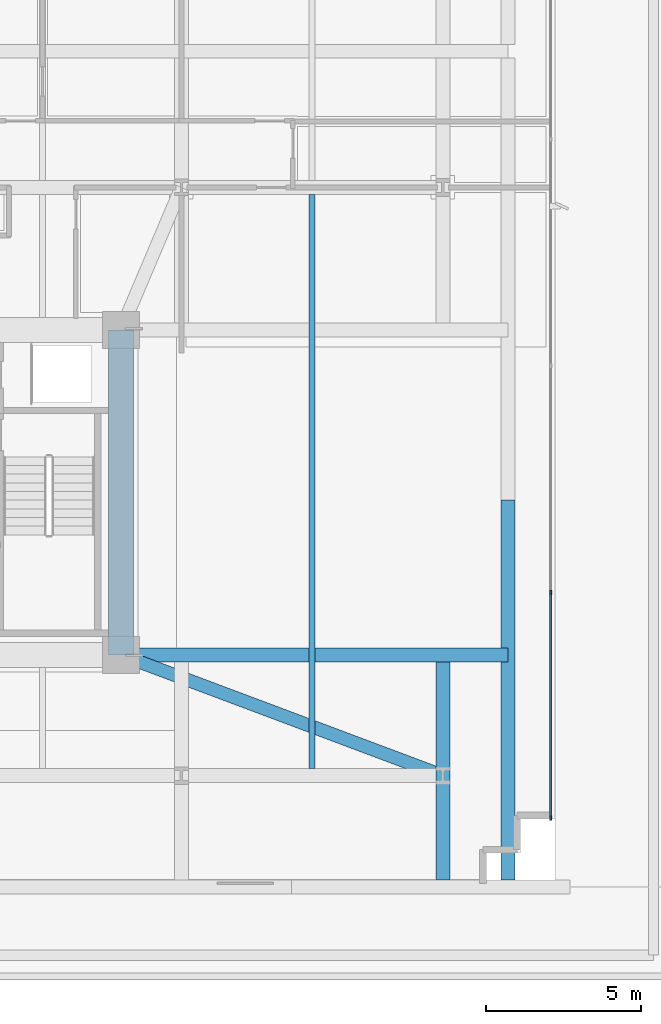
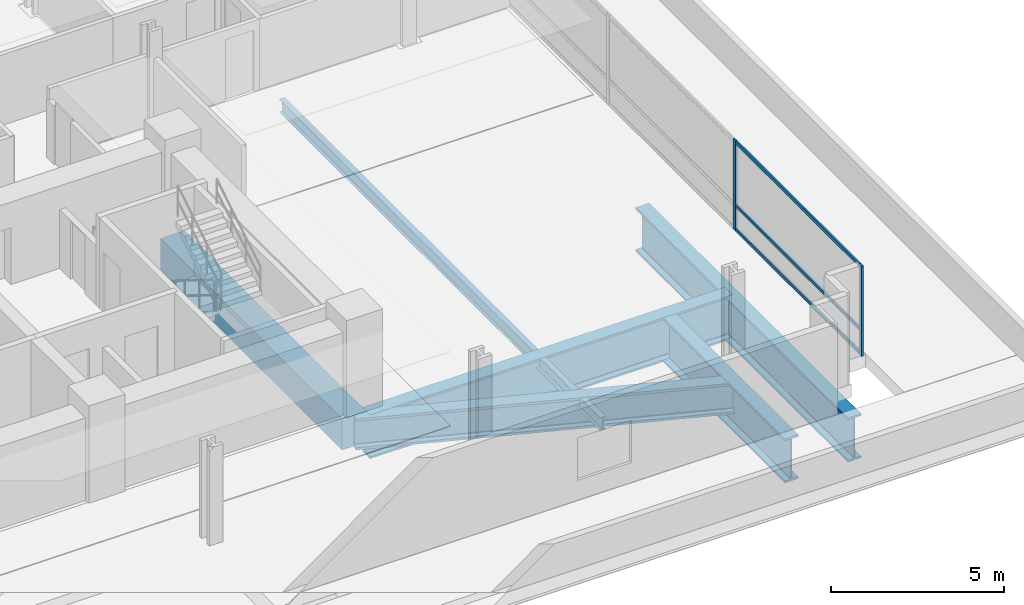
# One storey, part 8 of 25: 6 beams, 5 members, 1 element without a shape of its own.
"""IFC4 building model written with IfcOpenShell, lengths in metres."""

from ifc_helpers import new_model, si_unit, direction, frame, origin, origin_2d, place, context, subcontext, project, spatial, rectangle, i_section, extrude, material, material_profile, profile_set, type_object, element, aggregate, save


model = new_model("IFC4")

# Units and contexts
model_context = context("Model", 3, precision=1e-05, world=origin(), true_north=direction((0.0, 1.0)))
body_context = subcontext(model_context, "Body", "Model", "MODEL_VIEW")
ifc_project = project(units=[si_unit("LENGTHUNIT", "METRE"), si_unit("AREAUNIT", "SQUARE_METRE"), si_unit("VOLUMEUNIT", "CUBIC_METRE"), si_unit("PLANEANGLEUNIT", "RADIAN"), si_unit("MASSUNIT", "GRAM", prefix="KILO")], contexts=[model_context])

# Site, building, storey
site_placement = place(None, origin())
site = spatial("IfcSite", under=ifc_project, at=site_placement, CompositionType="ELEMENT")
building_placement = place(site_placement, origin())
building = spatial("IfcBuilding", under=site, at=building_placement, Name="Solmavex Isthmus Hotel", CompositionType="ELEMENT")
storey_placement = place(building_placement, frame((0.0, 0.0, 26.39990234375)))
storey = spatial("IfcBuildingStorey", under=building, at=storey_placement, Name="L06", CompositionType="ELEMENT", Elevation=26.39990234375)

# Beams
ifc_material_1 = material(Name="Steel ASTM A992 Grade 50", Category="steel")
ifc_material_profile_1 = material_profile(ifc_material_1, i_section(OverallWidth=0.1904296875, OverallDepth=0.456787109375, WebThickness=0.009033203125, FlangeThickness=0.014404296875, FilletRadius=0.0126953125, at=origin_2d()), Name="W18X50")
ifc_profile_set_1 = profile_set([ifc_material_profile_1], Name="Steel ASTM A992 Grade 50")
beam_type_1 = type_object("IfcBeamType", Name="BM-BJ-W18X50", PredefinedType="JOIST", material=ifc_profile_set_1)
beam_1_placement = place(storey_placement, frame((22.176025390625, -16.675048828125, -0.678466796875), z_axis=(0.0, 1.0, 0.0), x_axis=(-1.0, 0.0, 0.0)))
element("IfcBeam", 1, at=beam_1_placement, inside=storey, type_object=beam_type_1, Name="Secondary Floor Joist L06-J15", PredefinedType="JOIST", context=body_context, shape_type="SweptSolid", body=[
    extrude(i_section(OverallWidth=0.1904296875, OverallDepth=0.456787109375, WebThickness=0.009033203125, FlangeThickness=0.014404296875, FilletRadius=0.0126953125, at=origin_2d()), origin(), (0.0, 0.0, 1.0), 18.550048828125),
])
ifc_material_2 = material(Name="Concrete C70/85", Category="concrete")
ifc_material_profile_2 = material_profile(ifc_material_2, rectangle(XDim=0.800048828125, YDim=1.10009765625, at=origin_2d()), Name="RC800X1100")
ifc_profile_set_2 = profile_set([ifc_material_profile_2], Name="Concrete C70/85")
beam_type_2 = type_object("IfcBeamType", Name="BM-CB-800X1100", PredefinedType="BEAM", material=ifc_profile_set_2)
beam_2_placement = place(storey_placement, frame((16.0, -13.0, -1.0), z_axis=(0.0, 1.0, 0.0), x_axis=(-1.0, 0.0, 0.0)))
element("IfcBeam", 2, at=beam_2_placement, inside=storey, type_object=beam_type_2, Name="Core Coupling Beam L06-CB8", PredefinedType="BEAM", context=body_context, shape_type="SweptSolid", body=[
    extrude(rectangle(XDim=0.800048828125, YDim=1.10009765625, at=origin_2d()), origin(), (0.0, 0.0, 1.0), 10.5),
])
ifc_material_3 = material(Name="Steel ASTM A572 Grade 50", Category="steel")
ifc_material_profile_3 = material_profile(ifc_material_3, i_section(OverallWidth=0.449951171875, OverallDepth=1.550048828125, WebThickness=0.031982421875, FlangeThickness=0.06494140625, FilletRadius=0.030517578125, at=origin_2d()), Name="I1550X450")
ifc_profile_set_3 = profile_set([ifc_material_profile_3], Name="Steel ASTM A572 Grade 50")
beam_type_3 = type_object("IfcBeamType", Name="BM-TB-G1550", PredefinedType="BEAM", material=ifc_profile_set_3)
beam_3_placement = place(storey_placement, frame((16.39990234375, -13.0, -1.224853515625), z_axis=(1.0, 0.0, 0.0), x_axis=(0.0, 1.0, 0.0)))
element("IfcBeam", 3, at=beam_3_placement, inside=storey, type_object=beam_type_3, Name="Podium-to-Tower Mega Transfer Girder L06-MG18", PredefinedType="BEAM", context=body_context, shape_type="SweptSolid", body=[
    extrude(i_section(OverallWidth=0.449951171875, OverallDepth=1.550048828125, WebThickness=0.031982421875, FlangeThickness=0.06494140625, FilletRadius=0.030517578125, at=origin_2d()), origin(), (0.0, 0.0, 1.0), 12.10009765625),
])
beam_4_placement = place(storey_placement, frame((28.5, -20.27490234375, -1.224853515625), z_axis=(0.0, 1.0, 0.0), x_axis=(-1.0, 0.0, 0.0)))
element("IfcBeam", 4, at=beam_4_placement, inside=storey, type_object=beam_type_3, Name="Podium-to-Tower Mega Transfer Girder L06-MG22", PredefinedType="BEAM", context=body_context, shape_type="SweptSolid", body=[
    extrude(i_section(OverallWidth=0.449951171875, OverallDepth=1.550048828125, WebThickness=0.031982421875, FlangeThickness=0.06494140625, FilletRadius=0.030517578125, at=origin_2d()), origin(), (0.0, 0.0, 1.0), 12.27490234375),
])
beam_5_placement = place(storey_placement, frame((26.39990234375, -20.27490234375, -1.224853515625), z_axis=(0.0, 1.0, 0.0), x_axis=(-1.0, 0.0, 0.0)))
element("IfcBeam", 5, at=beam_5_placement, inside=storey, type_object=beam_type_3, Name="Tower Column Root Transfer Girder L06-MNS7A", PredefinedType="BEAM", context=body_context, shape_type="SweptSolid", body=[
    extrude(i_section(OverallWidth=0.449951171875, OverallDepth=1.550048828125, WebThickness=0.031982421875, FlangeThickness=0.06494140625, FilletRadius=0.030517578125, at=origin_2d()), origin(), (0.0, 0.0, 1.0), 7.0498046875),
])
ifc_material_4 = material(Name="Steel ASTM A913 Grade 65", Category="steel")
ifc_material_profile_4 = material_profile(ifc_material_4, i_section(OverallWidth=0.42431640625, OverallDepth=1.09228515625, WebThickness=0.04541015625, FlangeThickness=0.08203125, FilletRadius=0.030517578125, at=origin_2d()), Name="W40X593")
ifc_profile_set_4 = profile_set([ifc_material_profile_4], Name="Steel ASTM A913 Grade 65")
beam_type_4 = type_object("IfcBeamType", Name="BM-TB-W40X397", PredefinedType="BEAM", material=ifc_profile_set_4)
beam_6_placement = place(storey_placement, frame((16.0, -13.0, -0.99609375), z_axis=(0.936330984184, -0.351118623911, 0.0), x_axis=(0.351118623911, 0.936330984184, 0.0)))
element("IfcBeam", 6, at=beam_6_placement, inside=storey, type_object=beam_type_4, Name="Core Outrigger Strut L05-OTSE", PredefinedType="BEAM", context=body_context, shape_type="SweptSolid", body=[
    extrude(i_section(OverallWidth=0.42431640625, OverallDepth=1.09228515625, WebThickness=0.04541015625, FlangeThickness=0.08203125, FilletRadius=0.030517578125, at=origin_2d()), origin(), (0.0, 0.0, 1.0), 11.107177734375),
])

# Curtain wall, members
ifc_material_5 = material(Name="Aluminium alloy 6063-T6", Category="aluminium")
curtain_wall_type = type_object("IfcCurtainWallType", Name="CW-SYS-06", PredefinedType="NOTDEFINED", material=ifc_material_5)
curtain_wall_placement = place(storey_placement, origin())
curtain_wall = element("IfcCurtainWall", 7, at=curtain_wall_placement, inside=storey, type_object=curtain_wall_type, Name="Stick Curtain Wall CWL-L06-E1", PredefinedType="NOTDEFINED")
ifc_material_profile_5 = material_profile(ifc_material_5, rectangle(XDim=0.06005859375, YDim=0.139892578125, at=origin_2d()), Name="CWM-60X140")
ifc_profile_set_5 = profile_set([ifc_material_profile_5], Name="Aluminium alloy 6063-T6")
member_type_1 = type_object("IfcMemberType", Name="CW-SYS-06-MUL", PredefinedType="MULLION", material=ifc_profile_set_5)
member_1_placement = place(storey_placement, frame((29.8798828125, -18.27001953125, 0.0), z_axis=(0.0, 0.0, 1.0), x_axis=(-1.0, 0.0, 0.0)))
member_1 = element("IfcMember", 8, at=member_1_placement, type_object=member_type_1, Name="CW-06 mullion 1", PredefinedType="MULLION", context=body_context, shape_type="SweptSolid", body=[
    extrude(rectangle(XDim=0.06005859375, YDim=0.139892578125, at=origin_2d()), origin(), (0.0, 0.0, 1.0), 3.190185546875),
])
member_2_placement = place(storey_placement, frame((29.8798828125, -10.97998046875, 0.0), z_axis=(0.0, 0.0, 1.0), x_axis=(-1.0, 0.0, 0.0)))
member_2 = element("IfcMember", 9, at=member_2_placement, type_object=member_type_1, Name="CW-06 mullion 2", PredefinedType="MULLION", context=body_context, shape_type="SweptSolid", body=[
    extrude(rectangle(XDim=0.06005859375, YDim=0.139892578125, at=origin_2d()), origin(), (0.0, 0.0, 1.0), 3.190185546875),
])
ifc_material_profile_6 = material_profile(ifc_material_5, rectangle(XDim=0.06005859375, YDim=0.114990234375, at=origin_2d()), Name="CWT-60X115")
ifc_profile_set_6 = profile_set([ifc_material_profile_6], Name="Aluminium alloy 6063-T6")
member_type_2 = type_object("IfcMemberType", Name="CW-SYS-06-TRN", PredefinedType="USERDEFINED", material=ifc_profile_set_6)
member_3_placement = place(storey_placement, frame((29.8798828125, -18.239990234375, 0.0576171875), z_axis=(0.0, 1.0, 0.0), x_axis=(-1.0, 0.0, 0.0)))
member_3 = element("IfcMember", 10, at=member_3_placement, type_object=member_type_2, Name="CW-06 transom 1.1", ObjectType="TRANSOM", PredefinedType="USERDEFINED", context=body_context, shape_type="SweptSolid", body=[
    extrude(rectangle(XDim=0.06005859375, YDim=0.114990234375, at=origin_2d()), origin(), (0.0, 0.0, 1.0), 7.22998046875),
])
member_4_placement = place(storey_placement, frame((29.8798828125, -18.239990234375, 0.900146484375), z_axis=(0.0, 1.0, 0.0), x_axis=(-1.0, 0.0, 0.0)))
member_4 = element("IfcMember", 11, at=member_4_placement, type_object=member_type_2, Name="CW-06 transom 1.2", ObjectType="TRANSOM", PredefinedType="USERDEFINED", context=body_context, shape_type="SweptSolid", body=[
    extrude(rectangle(XDim=0.06005859375, YDim=0.114990234375, at=origin_2d()), origin(), (0.0, 0.0, 1.0), 7.22998046875),
])
member_5_placement = place(storey_placement, frame((29.8798828125, -18.239990234375, 3.132568359375), z_axis=(0.0, 1.0, 0.0), x_axis=(-1.0, 0.0, 0.0)))
member_5 = element("IfcMember", 12, at=member_5_placement, type_object=member_type_2, Name="CW-06 transom 1.3", ObjectType="TRANSOM", PredefinedType="USERDEFINED", context=body_context, shape_type="SweptSolid", body=[
    extrude(rectangle(XDim=0.06005859375, YDim=0.114990234375, at=origin_2d()), origin(), (0.0, 0.0, 1.0), 7.22998046875),
])
aggregate(curtain_wall, [member_1, member_2, member_3, member_4, member_5])

save(model, "model.ifc")
